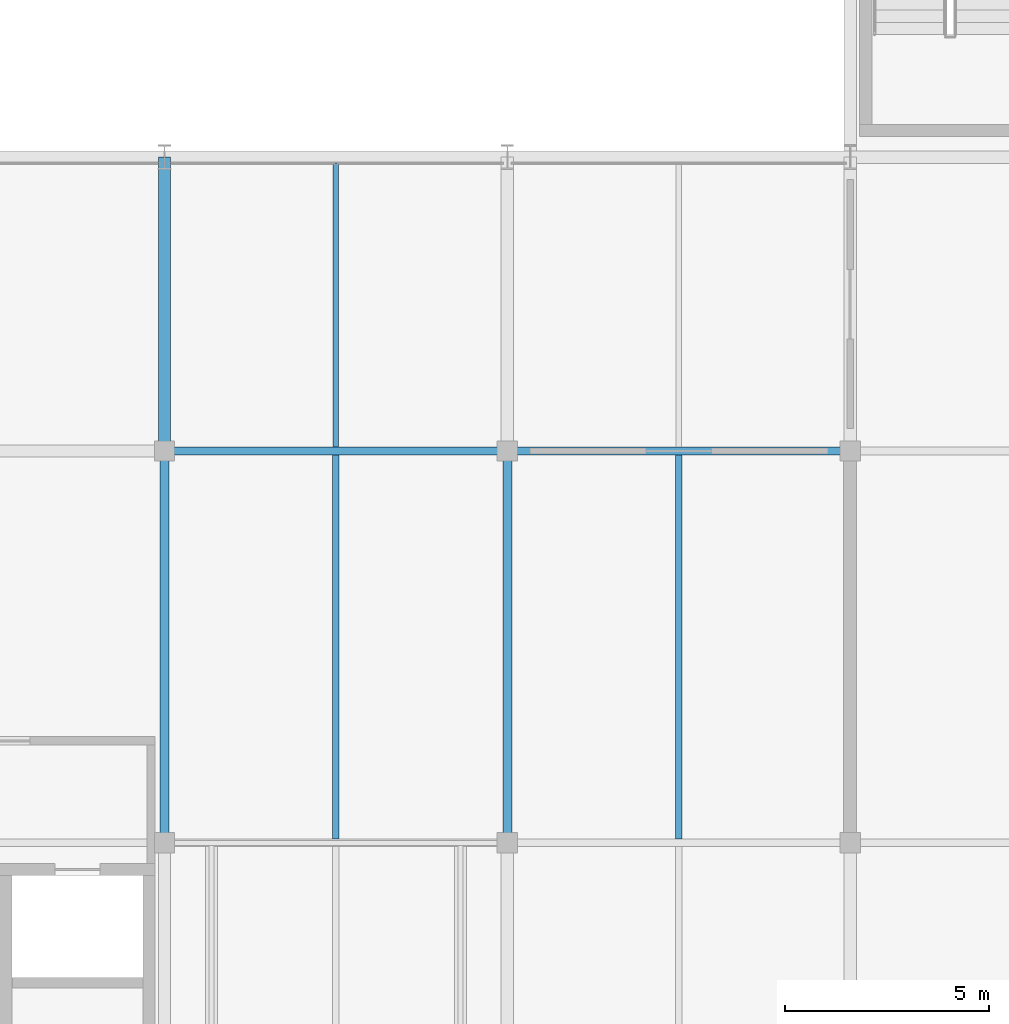
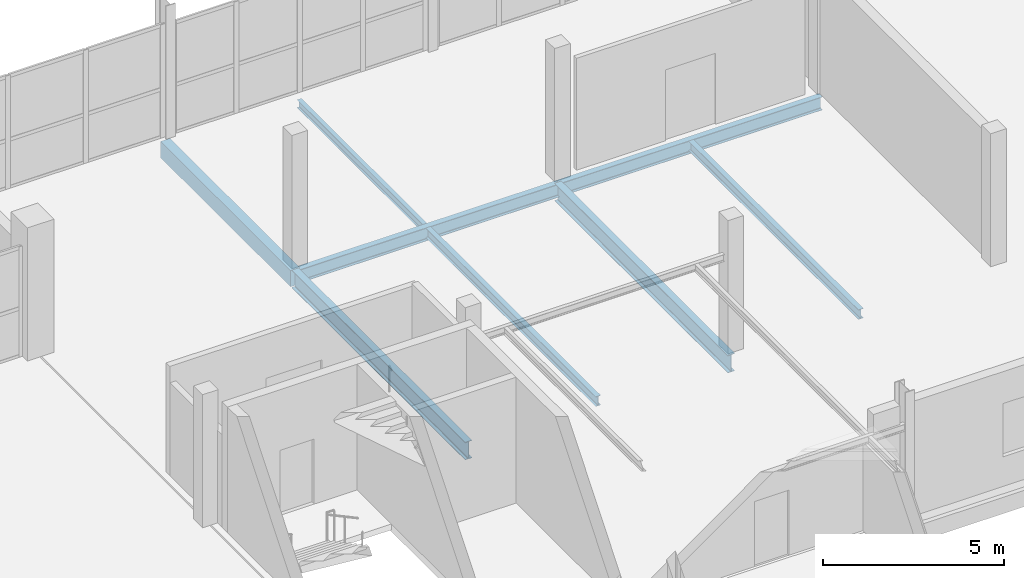
# One storey, part 44 of 109: 8 beams.
"""IFC4 building model written with IfcOpenShell, lengths in metres."""

from ifc_helpers import new_model, si_unit, direction, frame, origin, origin_2d, place, context, subcontext, project, spatial, rectangle, i_section, extrude, material, material_profile, profile_set, type_object, element, save


model = new_model("IFC4")

# Units and contexts
model_context = context("Model", 3, precision=1e-05, world=origin(), true_north=direction((0.0, 1.0)))
body_context = subcontext(model_context, "Body", "Model", "MODEL_VIEW")
ifc_project = project(units=[si_unit("LENGTHUNIT", "METRE"), si_unit("AREAUNIT", "SQUARE_METRE"), si_unit("VOLUMEUNIT", "CUBIC_METRE"), si_unit("PLANEANGLEUNIT", "RADIAN"), si_unit("MASSUNIT", "GRAM", prefix="KILO")], contexts=[model_context])

# Site, building, storey
site_placement = place(None, origin())
site = spatial("IfcSite", under=ifc_project, at=site_placement, CompositionType="ELEMENT")
building_placement = place(site_placement, origin())
building = spatial("IfcBuilding", under=site, at=building_placement, Name="Veltarok Museum of Natural Sciences", CompositionType="ELEMENT")
storey_placement = place(building_placement, frame((0.0, 0.0, 17.39990234375)))
storey = spatial("IfcBuildingStorey", under=building, at=storey_placement, Name="L03", CompositionType="ELEMENT", Elevation=17.39990234375)

# Beams
ifc_material_1 = material(Name="Precast concrete C40/50", Category="concrete")
ifc_material_profile_1 = material_profile(ifc_material_1, rectangle(XDim=0.300048828125, YDim=0.550048828125, at=origin_2d()), Name="RC 300x550")
ifc_profile_set_1 = profile_set([ifc_material_profile_1], Name="Precast concrete C40/50")
beam_type_1 = type_object("IfcBeamType", Name="East Wing Precast Spandrel RC 300x550", PredefinedType="SPANDREL", material=ifc_profile_set_1)
beam_1_placement = place(storey_placement, frame((115.60009765625, 19.199951171875, -0.52490234375), z_axis=(0.0, 1.0, 0.0), x_axis=(-1.0, 0.0, 0.0)))
element("IfcBeam", 1, at=beam_1_placement, inside=storey, type_object=beam_type_1, Name="Beam BM-SP02 L03 14/C-D", PredefinedType="SPANDREL", context=body_context, shape_type="SweptSolid", body=[
    extrude(rectangle(XDim=0.300048828125, YDim=0.550048828125, at=origin_2d()), origin(), (0.0, 0.0, 1.0), 7.199951171875),
])
ifc_material_2 = material(Name="Steel S355J2", Category="steel")
ifc_material_profile_2 = material_profile(ifc_material_2, i_section(OverallWidth=0.18994140625, OverallDepth=0.449951171875, WebThickness=0.009521484375, FlangeThickness=0.0146484375, FilletRadius=0.02099609375, at=origin_2d()), Name="IPE 450")
ifc_profile_set_2 = profile_set([ifc_material_profile_2], Name="Steel S355J2")
beam_type_2 = type_object("IfcBeamType", Name="Laboratory Floor Girder IPE 450", PredefinedType="BEAM", material=ifc_profile_set_2)
for number, where, z_axis, x_axis, name in (
    (2, (115.60009765625, 19.199951171875, -0.474853515625), (1.0, 0.0, 0.0), (0.0, 1.0, 0.0), "Beam BM-G05 L03 14-15/C"),
    (3, (124.0, 19.199951171875, -0.474853515625), (1.0, 0.0, 0.0), (0.0, 1.0, 0.0), "Beam BM-G05 L03 15-16/C"),
):
    element("IfcBeam", number, at=place(storey_placement, frame(where, z_axis=z_axis, x_axis=x_axis)), inside=storey, type_object=beam_type_2, Name=name, PredefinedType="BEAM", context=body_context, shape_type="SweptSolid", body=[
        extrude(i_section(OverallWidth=0.18994140625, OverallDepth=0.449951171875, WebThickness=0.009521484375, FlangeThickness=0.0146484375, FilletRadius=0.02099609375, at=origin_2d()), origin(), (0.0, 0.0, 1.0), 8.39990234375),
    ])
ifc_material_profile_3 = material_profile(ifc_material_2, i_section(OverallWidth=0.159912109375, OverallDepth=0.330078125, WebThickness=0.007568359375, FlangeThickness=0.011474609375, FilletRadius=0.01806640625, at=origin_2d()), Name="IPE 330")
ifc_profile_set_3 = profile_set([ifc_material_profile_3], Name="Steel S355J2")
beam_type_3 = type_object("IfcBeamType", Name="Medium-Bay Composite Joist IPE 330", PredefinedType="JOIST", material=ifc_profile_set_3)
for number, where, z_axis, x_axis, name in (
    (4, (119.800048828125, 9.693115234375, -0.414794921875), (0.0, 1.0, 0.0), (-1.0, 0.0, 0.0), "Secondary Joist BM-J02 L03 14-15/B-C.1"),
    (5, (128.199951171875, 9.693115234375, -0.414794921875), (0.0, 1.0, 0.0), (-1.0, 0.0, 0.0), "Secondary Joist BM-J02 L03 15-16/B-C.1"),
):
    element("IfcBeam", number, at=place(storey_placement, frame(where, z_axis=z_axis, x_axis=x_axis)), inside=storey, type_object=beam_type_3, Name=name, PredefinedType="JOIST", context=body_context, shape_type="SweptSolid", body=[
        extrude(i_section(OverallWidth=0.159912109375, OverallDepth=0.330078125, WebThickness=0.007568359375, FlangeThickness=0.011474609375, FilletRadius=0.01806640625, at=origin_2d()), origin(), (0.0, 0.0, 1.0), 9.413818359375),
    ])
ifc_material_profile_4 = material_profile(ifc_material_2, i_section(OverallWidth=0.219970703125, OverallDepth=0.60009765625, WebThickness=0.011962890625, FlangeThickness=0.01904296875, FilletRadius=0.02392578125, at=origin_2d()), Name="IPE 600")
ifc_profile_set_4 = profile_set([ifc_material_profile_4], Name="Steel S355J2")
beam_type_4 = type_object("IfcBeamType", Name="Primary Museum Girder IPE 600", PredefinedType="BEAM", material=ifc_profile_set_4)
for number, where, z_axis, x_axis, name in (
    (6, (115.60009765625, 9.60009765625, -0.5498046875), (0.0, 1.0, 0.0), (-1.0, 0.0, 0.0), "Beam BM-G02 L03 14/B-C"),
    (7, (124.0, 9.60009765625, -0.5498046875), (0.0, 1.0, 0.0), (-1.0, 0.0, 0.0), "Beam BM-G02 L03 15/B-C"),
):
    element("IfcBeam", number, at=place(storey_placement, frame(where, z_axis=z_axis, x_axis=x_axis)), inside=storey, type_object=beam_type_4, Name=name, PredefinedType="BEAM", context=body_context, shape_type="SweptSolid", body=[
        extrude(i_section(OverallWidth=0.219970703125, OverallDepth=0.60009765625, WebThickness=0.011962890625, FlangeThickness=0.01904296875, FilletRadius=0.02392578125, at=origin_2d()), origin(), (0.0, 0.0, 1.0), 9.599853515625),
    ])
ifc_material_profile_5 = material_profile(ifc_material_2, i_section(OverallWidth=0.135009765625, OverallDepth=0.27001953125, WebThickness=0.006591796875, FlangeThickness=0.01025390625, FilletRadius=0.014892578125, at=origin_2d()), Name="IPE 270")
ifc_profile_set_5 = profile_set([ifc_material_profile_5], Name="Steel S355J2")
beam_type_5 = type_object("IfcBeamType", Name="Short-Bay Composite Joist IPE 270", PredefinedType="JOIST", material=ifc_profile_set_5)
beam_2_placement = place(storey_placement, frame((119.800048828125, 19.29296875, -0.385009765625), z_axis=(0.0, 1.0, 0.0), x_axis=(-1.0, 0.0, 0.0)))
element("IfcBeam", 8, at=beam_2_placement, inside=storey, type_object=beam_type_5, Name="Secondary Joist BM-J04 L03 14-15/C-D.1", PredefinedType="JOIST", context=body_context, shape_type="SweptSolid", body=[
    extrude(i_section(OverallWidth=0.135009765625, OverallDepth=0.27001953125, WebThickness=0.006591796875, FlangeThickness=0.01025390625, FilletRadius=0.014892578125, at=origin_2d()), origin(), (0.0, 0.0, 1.0), 6.958984375),
])

save(model, "model.ifc")
